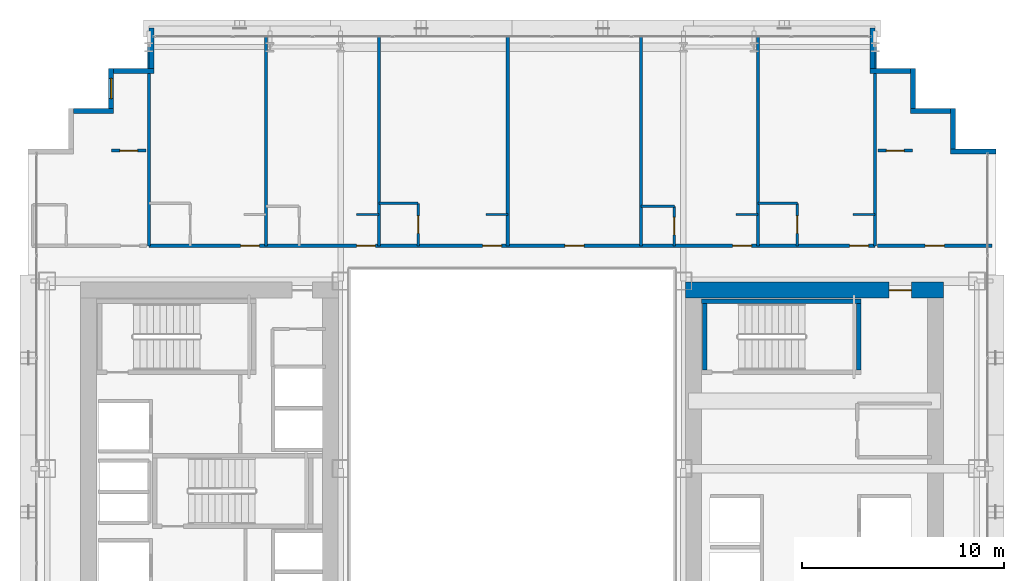
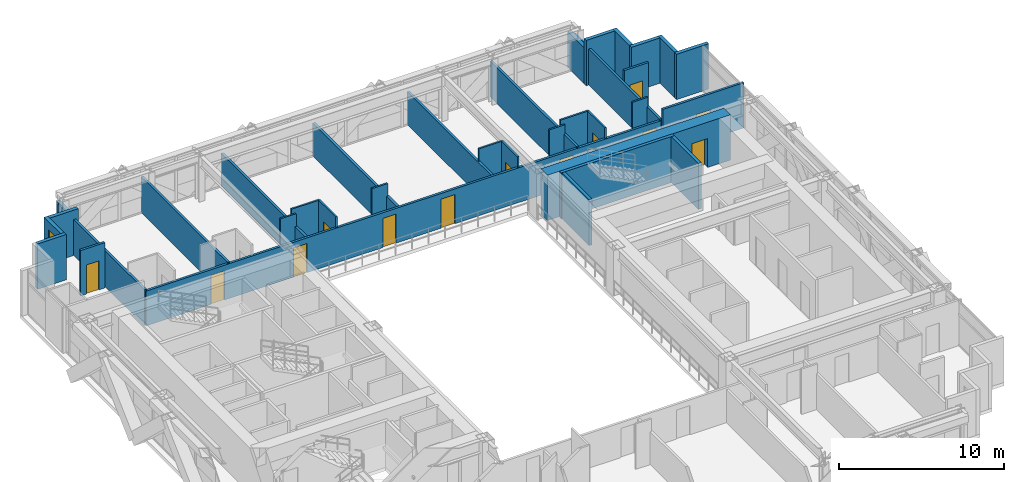
# One storey, part 30 of 35: 35 walls, 13 doors, 1 window, 14 openings.
"""IFC4 building model written with IfcOpenShell, lengths in metres."""

from ifc_helpers import new_model, si_unit, direction, frame, frame_2d, origin, place, context, subcontext, project, spatial, rectangle, extrude, source, transform, mapped, material, layer, layer_set, type_object, element, fill, save


model = new_model("IFC4")

# Units and contexts
model_context = context("Model", 3, precision=1e-05, world=origin(), true_north=direction((0.0, 1.0)))
body_context = subcontext(model_context, "Body", "Model", "MODEL_VIEW")
ifc_project = project(units=[si_unit("LENGTHUNIT", "METRE"), si_unit("AREAUNIT", "SQUARE_METRE"), si_unit("VOLUMEUNIT", "CUBIC_METRE"), si_unit("PLANEANGLEUNIT", "RADIAN"), si_unit("MASSUNIT", "GRAM", prefix="KILO")], contexts=[model_context])

# Site, building, storey
site_placement = place(None, origin())
site = spatial("IfcSite", under=ifc_project, at=site_placement, CompositionType="ELEMENT")
building_placement = place(site_placement, origin())
building = spatial("IfcBuilding", under=site, at=building_placement, Name="Ocotamira Hotel", CompositionType="ELEMENT")
storey_placement = place(building_placement, frame((0.0, 0.0, 49.199951171875)))
storey = spatial("IfcBuildingStorey", under=building, at=storey_placement, Name="L11", CompositionType="ELEMENT", Elevation=49.199951171875)

# Wall, opening, door
ifc_material_1 = material(Name="Concrete C60/75", Category="concrete")
ifc_layer_1 = layer(ifc_material_1, 0.800048828125)
ifc_layer_set_1 = layer_set([ifc_layer_1], Name="Concrete C60/75")
wall_type_1 = type_object("IfcWallType", Name="WL-CORE-800", PredefinedType="SHEAR", material=ifc_layer_set_1)
wall_1_placement = place(storey_placement, frame((40.60009765625, 37.0, 0.0), z_axis=(0.0, 0.0, 1.0), x_axis=(1.0, 0.0, 0.0)))
wall_1 = element("IfcWall", 1, at=wall_1_placement, inside=storey, type_object=wall_type_1, Name="L11 Shear Core Wall ECORE-N", PredefinedType="SHEAR", context=body_context, shape_type="SweptSolid", body=[
    extrude(rectangle(XDim=12.7998046875, YDim=0.800048828125, at=frame_2d((6.39990234375, 0.0))), origin(), (0.0, 0.0, 1.0), 3.35009765625),
])
opening_1_placement = place(wall_1_placement, frame((10.10009765625, 0.0, 0.0)))
opening_1 = element("IfcOpeningElement", 2, at=opening_1_placement, cuts=wall_1, Name="Opening D-FR1", PredefinedType="OPENING", context=body_context, shape_type="SweptSolid", body=[
    extrude(rectangle(XDim=1.10009765625, YDim=2.14990234375, at=frame_2d((0.550048828125, 1.074951171875))), frame((0.0, 0.41015625, 0.0), z_axis=(0.0, -1.0, 0.0), x_axis=(1.0, 0.0, 0.0)), (0.0, 0.0, 1.0), 0.820068359375),
])
ifc_material_2 = material(Name="Fire-rated acoustic timber-veneer door", Category="wood")
door_type_1 = type_object("IfcDoorType", Name="DR-FIRE-1100", OperationType="NOTDEFINED", PredefinedType="DOOR", material=ifc_material_2)
shared_shape_1 = source(origin(), body_context, "Body", "SweptSolid", [
    extrude(rectangle(XDim=1.10009765625, YDim=2.14990234375, at=frame_2d((0.550048828125, 1.074951171875))), frame((0.0, 0.02490234375, 0.0), z_axis=(0.0, -1.0, 0.0), x_axis=(1.0, 0.0, 0.0)), (0.0, 0.0, 1.0), 0.050048828125),
])
door_1_placement = place(opening_1_placement, origin())
door_1 = element("IfcDoor", 3, at=door_1_placement, inside=storey, type_object=door_type_1, Name="L11 Door ID-L11-ELOB-N-D [ID-L11-ELOB-N-D]", OperationType="SINGLE_SWING_LEFT", OverallHeight=2.14990234375, OverallWidth=1.10009765625, PredefinedType="DOOR", context=body_context, shape_type="MappedRepresentation", body=[
    mapped(shared_shape_1, transform((0.0, 0.0, 0.0), scale=1.0)),
])
fill(opening_1, door_1)

# Walls
ifc_material_3 = material(Name="Precast concrete C45/55", Category="concrete")
ifc_layer_2 = layer(ifc_material_3, 0.25)
ifc_layer_set_2 = layer_set([ifc_layer_2], Name="Precast concrete C45/55")
wall_type_2 = type_object("IfcWallType", Name="WL-EXT-SER-250", PredefinedType="SOLIDWALL", material=ifc_layer_set_2)
wall_2_placement = place(storey_placement, frame((56.0, 43.875, 0.0), z_axis=(0.0, 0.0, 1.0), x_axis=(-1.0, 0.0, 0.0)))
element("IfcWall", 4, at=wall_2_placement, inside=storey, type_object=wall_type_2, Name="L11 Serrated Corner Wall 07", PredefinedType="SOLIDWALL", context=body_context, shape_type="SweptSolid", body=[
    extrude(rectangle(XDim=2.25, YDim=0.25, at=frame_2d((1.125, 0.0))), origin(), (0.0, 0.0, 1.0), 3.35009765625),
])
for number, where, z_axis, x_axis, name in (
    (5, (53.875, 44.0, 0.0), (0.0, 0.0, 1.0), (0.0, 1.0, 0.0), "L11 Serrated Corner Wall 08"),
    (6, (53.75, 45.875, 0.0), (0.0, 0.0, 1.0), (-1.0, 0.0, 0.0), "L11 Serrated Corner Wall 09"),
    (7, (51.875, 46.0, 0.0), (0.0, 0.0, 1.0), (0.0, 1.0, 0.0), "L11 Serrated Corner Wall 10"),
    (8, (51.75, 47.875, 0.0), (0.0, 0.0, 1.0), (-1.0, 0.0, 0.0), "L11 Serrated Corner Wall 11"),
):
    element("IfcWall", number, at=place(storey_placement, frame(where, z_axis=z_axis, x_axis=x_axis)), inside=storey, type_object=wall_type_2, Name=name, PredefinedType="SOLIDWALL", context=body_context, shape_type="SweptSolid", body=[
        extrude(rectangle(XDim=2.0, YDim=0.25, at=frame_2d((1.0, 0.0))), origin(), (0.0, 0.0, 1.0), 3.35009765625),
    ])
for number, where, z_axis, x_axis, name in (
    (9, (49.875, 48.0, 0.0), (0.0, 0.0, 1.0), (0.0, 1.0, 0.0), "L11 Serrated Corner Wall 12"),
    (10, (14.125, 50.0, 0.0), (0.0, 0.0, 1.0), (0.0, -1.0, 0.0), "L11 Serrated Corner Wall 13"),
):
    element("IfcWall", number, at=place(storey_placement, frame(where, z_axis=z_axis, x_axis=x_axis)), inside=storey, type_object=wall_type_2, Name=name, PredefinedType="SOLIDWALL", context=body_context, shape_type="SweptSolid", body=[
        extrude(rectangle(XDim=2.0, YDim=0.25, at=frame_2d((1.0, 0.0))), origin(), (0.0, 0.0, 1.0), 2.656982421875),
    ])
wall_3_placement = place(storey_placement, frame((14.25, 47.875, 0.0), z_axis=(0.0, 0.0, 1.0), x_axis=(-1.0, 0.0, 0.0)))
element("IfcWall", 11, at=wall_3_placement, inside=storey, type_object=wall_type_2, Name="L11 Serrated Corner Wall 14", PredefinedType="SOLIDWALL", context=body_context, shape_type="SweptSolid", body=[
    extrude(rectangle(XDim=2.0, YDim=0.25, at=frame_2d((1.0, 0.0))), origin(), (0.0, 0.0, 1.0), 3.35009765625),
])

# Wall, opening, window
wall_4_placement = place(storey_placement, frame((12.125, 48.0, 0.0), z_axis=(0.0, 0.0, 1.0), x_axis=(0.0, -1.0, 0.0)))
wall_4 = element("IfcWall", 12, at=wall_4_placement, inside=storey, type_object=wall_type_2, Name="L11 Serrated Corner Wall 15", PredefinedType="SOLIDWALL", context=body_context, shape_type="SweptSolid", body=[
    extrude(rectangle(XDim=2.0, YDim=0.25, at=frame_2d((1.0, 0.0))), origin(), (0.0, 0.0, 1.0), 3.35009765625),
])
opening_2_placement = place(wall_4_placement, frame((0.5, 0.0, 0.85009765625)))
opening_2 = element("IfcOpeningElement", 13, at=opening_2_placement, cuts=wall_4, Name="Opening WN-2", PredefinedType="OPENING", context=body_context, shape_type="SweptSolid", body=[
    extrude(rectangle(XDim=1.0, YDim=1.89990234375, at=frame_2d((0.5, 0.949951171875))), frame((0.0, 0.135009765625, 0.0), z_axis=(0.0, -1.0, 0.0), x_axis=(1.0, 0.0, 0.0)), (0.0, 0.0, 1.0), 0.27001953125),
])
ifc_material_4 = material(Name="Double-silver low-E solar glass", Category="glass")
window_type = type_object("IfcWindowType", Name="WIN-SER-1100", PartitioningType="SINGLE_PANEL", PredefinedType="WINDOW", material=ifc_material_4)
shared_shape_2 = source(origin(), body_context, "Body", "SweptSolid", [
    extrude(rectangle(XDim=1.0, YDim=1.89990234375, at=frame_2d((0.5, 0.949951171875))), frame((0.0, 0.030029296875, 0.0), z_axis=(0.0, -1.0, 0.0), x_axis=(1.0, 0.0, 0.0)), (0.0, 0.0, 1.0), 0.06005859375),
])
window_placement = place(opening_2_placement, origin())
window = element("IfcWindow", 14, at=window_placement, inside=storey, type_object=window_type, Name="L11 Serrated Corner Window 15", OverallHeight=1.89990234375, OverallWidth=1.0, PartitioningType="SINGLE_PANEL", PredefinedType="WINDOW", context=body_context, shape_type="MappedRepresentation", body=[
    mapped(shared_shape_2, transform((0.0, 0.0, 0.0), scale=1.0)),
])
fill(opening_2, window)

# Wall
wall_5_placement = place(storey_placement, frame((12.25, 45.875, 0.0), z_axis=(0.0, 0.0, 1.0), x_axis=(-1.0, 0.0, 0.0)))
element("IfcWall", 15, at=wall_5_placement, inside=storey, type_object=wall_type_2, Name="L11 Serrated Corner Wall 16", PredefinedType="SOLIDWALL", context=body_context, shape_type="SweptSolid", body=[
    extrude(rectangle(XDim=2.0, YDim=0.25, at=frame_2d((1.0, 0.0))), origin(), (0.0, 0.0, 1.0), 3.35009765625),
])

# Wall, opening, door
ifc_material_5 = material(Name="Acoustic double-layer fire gypsum board partition", Category="gypsum")
ifc_layer_3 = layer(ifc_material_5, 0.159912109375)
ifc_layer_set_3 = layer_set([ifc_layer_3], Name="Acoustic double-layer fire gypsum board partition")
wall_type_3 = type_object("IfcWallType", Name="WL-FIRE-160", PredefinedType="PARTITIONING", material=ifc_layer_set_3)
wall_6_placement = place(storey_placement, frame((50.1201171875, 39.199951171875, 0.0), z_axis=(0.0, 0.0, 1.0), x_axis=(1.0, 0.0, 0.0)))
wall_6 = element("IfcWall", 16, at=wall_6_placement, inside=storey, type_object=wall_type_3, Name="L11 Interior Wall PW-L11-Z1B-CNE-CW", PredefinedType="PARTITIONING", context=body_context, shape_type="SweptSolid", body=[
    extrude(rectangle(XDim=5.679931640625, YDim=0.159912109375, at=frame_2d((2.83984375, 0.0))), origin(), (0.0, 0.0, 1.0), 3.35009765625),
])
opening_3_placement = place(wall_6_placement, frame((2.360107421875, 0.0, 0.0)))
opening_3 = element("IfcOpeningElement", 17, at=opening_3_placement, cuts=wall_6, Name="Opening D-SV4", PredefinedType="OPENING", context=body_context, shape_type="SweptSolid", body=[
    extrude(rectangle(XDim=0.9599609375, YDim=2.14990234375, at=frame_2d((0.47998046875, 1.074951171875))), frame((0.0, 0.08984375, 0.0), z_axis=(0.0, -1.0, 0.0), x_axis=(1.0, 0.0, 0.0)), (0.0, 0.0, 1.0), 0.179931640625),
])
ifc_material_6 = material(Name="Fire-rated accessible walnut salon door", Category="wood")
door_type_2 = type_object("IfcDoorType", Name="DR-SERV-960", OperationType="NOTDEFINED", PredefinedType="DOOR", material=ifc_material_6)
shared_shape_3 = source(origin(), body_context, "Body", "SweptSolid", [
    extrude(rectangle(XDim=0.9599609375, YDim=2.14990234375, at=frame_2d((0.47998046875, 1.074951171875))), frame((0.0, 0.02490234375, 0.0), z_axis=(0.0, -1.0, 0.0), x_axis=(1.0, 0.0, 0.0)), (0.0, 0.0, 1.0), 0.050048828125),
])
door_2_placement = place(opening_3_placement, origin())
door_2 = element("IfcDoor", 18, at=door_2_placement, inside=storey, type_object=door_type_2, Name="L11 Door ID-L11-Z1B-CNE-CD [ID-L11-Z1B-CNE-CD]", OperationType="SINGLE_SWING_LEFT", OverallHeight=2.14990234375, OverallWidth=0.9599609375, PredefinedType="DOOR", context=body_context, shape_type="MappedRepresentation", body=[
    mapped(shared_shape_3, transform((0.0, 0.0, 0.0), scale=1.0)),
])
fill(opening_3, door_2)

wall_7_placement = place(storey_placement, frame((12.14990234375, 43.919921875, 0.0), z_axis=(0.0, 0.0, 1.0), x_axis=(1.0, 0.0, 0.0)))
wall_7 = element("IfcWall", 19, at=wall_7_placement, inside=storey, type_object=wall_type_3, Name="L11 Interior Wall PW-L11-Z1B-CNW2-CW", PredefinedType="PARTITIONING", context=body_context, shape_type="SweptSolid", body=[
    extrude(rectangle(XDim=1.7001953125, YDim=0.159912109375, at=frame_2d((0.85009765625, 0.0))), origin(), (0.0, 0.0, 1.0), 3.35009765625),
])
opening_4_placement = place(wall_7_placement, frame((0.409912109375, 0.0, 0.0)))
opening_4 = element("IfcOpeningElement", 20, at=opening_4_placement, cuts=wall_7, Name="Opening D-SV2", PredefinedType="OPENING", context=body_context, shape_type="SweptSolid", body=[
    extrude(rectangle(XDim=0.8798828125, YDim=2.14990234375, at=frame_2d((0.43994140625, 1.074951171875))), frame((0.0, 0.08984375, 0.0), z_axis=(0.0, -1.0, 0.0), x_axis=(1.0, 0.0, 0.0)), (0.0, 0.0, 1.0), 0.179931640625),
])
ifc_material_7 = material(Name="Fire-rated painted steel service door", Category="steel")
door_type_3 = type_object("IfcDoorType", Name="DR-SERV-880", OperationType="NOTDEFINED", PredefinedType="DOOR", material=ifc_material_7)
shared_shape_4 = source(origin(), body_context, "Body", "SweptSolid", [
    extrude(rectangle(XDim=0.8798828125, YDim=2.14990234375, at=frame_2d((0.43994140625, 1.074951171875))), frame((0.0, 0.02490234375, 0.0), z_axis=(0.0, -1.0, 0.0), x_axis=(1.0, 0.0, 0.0)), (0.0, 0.0, 1.0), 0.050048828125),
])
door_3_placement = place(opening_4_placement, origin())
door_3 = element("IfcDoor", 21, at=door_3_placement, inside=storey, type_object=door_type_3, Name="L11 Door ID-L11-Z1B-CNW2-CD [ID-L11-Z1B-CNW2-CD]", OperationType="SINGLE_SWING_LEFT", OverallHeight=2.14990234375, OverallWidth=0.8798828125, PredefinedType="DOOR", context=body_context, shape_type="MappedRepresentation", body=[
    mapped(shared_shape_4, transform((0.0, 0.0, 0.0), scale=1.0)),
])
fill(opening_4, door_3)

wall_8_placement = place(storey_placement, frame((50.14990234375, 43.919921875, 0.0), z_axis=(0.0, 0.0, 1.0), x_axis=(1.0, 0.0, 0.0)))
wall_8 = element("IfcWall", 22, at=wall_8_placement, inside=storey, type_object=wall_type_3, Name="L11 Interior Wall PW-L11-Z1B-CNE2-CW", PredefinedType="PARTITIONING", context=body_context, shape_type="SweptSolid", body=[
    extrude(rectangle(XDim=1.7001953125, YDim=0.159912109375, at=frame_2d((0.85009765625, 0.0))), origin(), (0.0, 0.0, 1.0), 3.35009765625),
])
opening_5_placement = place(wall_8_placement, frame((0.409912109375, 0.0, 0.0)))
opening_5 = element("IfcOpeningElement", 23, at=opening_5_placement, cuts=wall_8, Name="Opening D-SV2", PredefinedType="OPENING", context=body_context, shape_type="SweptSolid", body=[
    extrude(rectangle(XDim=0.8798828125, YDim=2.14990234375, at=frame_2d((0.43994140625, 1.074951171875))), frame((0.0, 0.08984375, 0.0), z_axis=(0.0, -1.0, 0.0), x_axis=(1.0, 0.0, 0.0)), (0.0, 0.0, 1.0), 0.179931640625),
])
door_4_placement = place(opening_5_placement, origin())
door_4 = element("IfcDoor", 24, at=door_4_placement, inside=storey, type_object=door_type_3, Name="L11 Door ID-L11-Z1B-CNE2-CD [ID-L11-Z1B-CNE2-CD]", OperationType="SINGLE_SWING_LEFT", OverallHeight=2.14990234375, OverallWidth=0.8798828125, PredefinedType="DOOR", context=body_context, shape_type="MappedRepresentation", body=[
    mapped(shared_shape_4, transform((0.0, 0.0, 0.0), scale=1.0)),
])
fill(opening_5, door_4)

# Wall, openings, doors
wall_9_placement = place(storey_placement, frame((14.0, 39.199951171875, 0.0), z_axis=(0.0, 0.0, 1.0), x_axis=(1.0, 0.0, 0.0)))
wall_9 = element("IfcWall", 25, at=wall_9_placement, inside=storey, type_object=wall_type_3, Name="L11 Interior Wall PW-L11-Z1BN-CORRW", PredefinedType="PARTITIONING", context=body_context, shape_type="SweptSolid", body=[
    extrude(rectangle(XDim=36.0, YDim=0.159912109375, at=frame_2d((18.0, 0.0))), origin(), (0.0, 0.0, 1.0), 2.571044921875),
])
opening_6_placement = place(wall_9_placement, frame((4.5400390625, 0.0, 0.0)))
opening_6 = element("IfcOpeningElement", 26, at=opening_6_placement, cuts=wall_9, Name="Opening D-GR1", PredefinedType="OPENING", context=body_context, shape_type="SweptSolid", body=[
    extrude(rectangle(XDim=0.93994140625, YDim=2.14990234375, at=frame_2d((0.469970703125, 1.074951171875))), frame((0.0, 0.08984375, 0.0), z_axis=(0.0, -1.0, 0.0), x_axis=(1.0, 0.0, 0.0)), (0.0, 0.0, 1.0), 0.179931640625),
])
opening_7_placement = place(wall_9_placement, frame((10.2900390625, 0.0, 0.0)))
opening_7 = element("IfcOpeningElement", 27, at=opening_7_placement, cuts=wall_9, Name="Opening D-GR1", PredefinedType="OPENING", context=body_context, shape_type="SweptSolid", body=[
    extrude(rectangle(XDim=0.93994140625, YDim=2.14990234375, at=frame_2d((0.469970703125, 1.074951171875))), frame((0.0, 0.08984375, 0.0), z_axis=(0.0, -1.0, 0.0), x_axis=(1.0, 0.0, 0.0)), (0.0, 0.0, 1.0), 0.179931640625),
])
opening_8_placement = place(wall_9_placement, frame((16.5400390625, 0.0, 0.0)))
opening_8 = element("IfcOpeningElement", 28, at=opening_8_placement, cuts=wall_9, Name="Opening D-GR1", PredefinedType="OPENING", context=body_context, shape_type="SweptSolid", body=[
    extrude(rectangle(XDim=0.93994140625, YDim=2.14990234375, at=frame_2d((0.469970703125, 1.074951171875))), frame((0.0, 0.08984375, 0.0), z_axis=(0.0, -1.0, 0.0), x_axis=(1.0, 0.0, 0.0)), (0.0, 0.0, 1.0), 0.179931640625),
])
opening_9_placement = place(wall_9_placement, frame((20.6201171875, 0.0, 0.0)))
opening_9 = element("IfcOpeningElement", 29, at=opening_9_placement, cuts=wall_9, Name="Opening D-SV4", PredefinedType="OPENING", context=body_context, shape_type="SweptSolid", body=[
    extrude(rectangle(XDim=0.9599609375, YDim=2.14990234375, at=frame_2d((0.47998046875, 1.074951171875))), frame((0.0, 0.08984375, 0.0), z_axis=(0.0, -1.0, 0.0), x_axis=(1.0, 0.0, 0.0)), (0.0, 0.0, 1.0), 0.179931640625),
])
opening_10_placement = place(wall_9_placement, frame((28.93994140625, 0.0, 0.0)))
opening_10 = element("IfcOpeningElement", 30, at=opening_10_placement, cuts=wall_9, Name="Opening D-GR1", PredefinedType="OPENING", context=body_context, shape_type="SweptSolid", body=[
    extrude(rectangle(XDim=0.93994140625, YDim=2.14990234375, at=frame_2d((0.469970703125, 1.074951171875))), frame((0.0, 0.08984375, 0.0), z_axis=(0.0, -1.0, 0.0), x_axis=(1.0, 0.0, 0.0)), (0.0, 0.0, 1.0), 0.179931640625),
])
opening_11_placement = place(wall_9_placement, frame((34.739990234375, 0.0, 0.0)))
opening_11 = element("IfcOpeningElement", 31, at=opening_11_placement, cuts=wall_9, Name="Opening D-GR1", PredefinedType="OPENING", context=body_context, shape_type="SweptSolid", body=[
    extrude(rectangle(XDim=0.93994140625, YDim=2.14990234375, at=frame_2d((0.469970703125, 1.074951171875))), frame((0.0, 0.08984375, 0.0), z_axis=(0.0, -1.0, 0.0), x_axis=(1.0, 0.0, 0.0)), (0.0, 0.0, 1.0), 0.179931640625),
])
door_5_placement = place(opening_9_placement, origin())
door_5 = element("IfcDoor", 32, at=door_5_placement, inside=storey, type_object=door_type_2, Name="L11 Door ID-L11-Z1BN-AMD4 [ID-L11-Z1BN-AMD4]", OperationType="SINGLE_SWING_RIGHT", OverallHeight=2.14990234375, OverallWidth=0.9599609375, PredefinedType="DOOR", context=body_context, shape_type="MappedRepresentation", body=[
    mapped(shared_shape_3, transform((0.0, 0.0, 0.0), scale=1.0)),
])
fill(opening_9, door_5)
ifc_material_8 = material(Name="Solid-core walnut suite entrance fire door", Category="wood")
door_type_4 = type_object("IfcDoorType", Name="DR-GUEST-940", OperationType="NOTDEFINED", PredefinedType="DOOR", material=ifc_material_8)
shared_shape_5 = source(origin(), body_context, "Body", "SweptSolid", [
    extrude(rectangle(XDim=0.93994140625, YDim=2.14990234375, at=frame_2d((0.469970703125, 1.074951171875))), frame((0.0, 0.02490234375, 0.0), z_axis=(0.0, -1.0, 0.0), x_axis=(1.0, 0.0, 0.0)), (0.0, 0.0, 1.0), 0.050048828125),
])
door_6_placement = place(opening_6_placement, origin())
door_6 = element("IfcDoor", 33, at=door_6_placement, inside=storey, type_object=door_type_4, Name="L11 Door ID-L11-Z1BN-RMD1 [ID-L11-Z1BN-RMD1]", OperationType="SINGLE_SWING_LEFT", OverallHeight=2.14990234375, OverallWidth=0.93994140625, PredefinedType="DOOR", context=body_context, shape_type="MappedRepresentation", body=[
    mapped(shared_shape_5, transform((0.0, 0.0, 0.0), scale=1.0)),
])
fill(opening_6, door_6)
door_7_placement = place(opening_7_placement, origin())
door_7 = element("IfcDoor", 34, at=door_7_placement, inside=storey, type_object=door_type_4, Name="L11 Door ID-L11-Z1BN-RMD2 [ID-L11-Z1BN-RMD2]", OperationType="SINGLE_SWING_RIGHT", OverallHeight=2.14990234375, OverallWidth=0.93994140625, PredefinedType="DOOR", context=body_context, shape_type="MappedRepresentation", body=[
    mapped(shared_shape_5, transform((0.0, 0.0, 0.0), scale=1.0)),
])
fill(opening_7, door_7)
door_8_placement = place(opening_8_placement, origin())
door_8 = element("IfcDoor", 35, at=door_8_placement, inside=storey, type_object=door_type_4, Name="L11 Door ID-L11-Z1BN-RMD3 [ID-L11-Z1BN-RMD3]", OperationType="SINGLE_SWING_LEFT", OverallHeight=2.14990234375, OverallWidth=0.93994140625, PredefinedType="DOOR", context=body_context, shape_type="MappedRepresentation", body=[
    mapped(shared_shape_5, transform((0.0, 0.0, 0.0), scale=1.0)),
])
fill(opening_8, door_8)
door_9_placement = place(opening_10_placement, origin())
door_9 = element("IfcDoor", 36, at=door_9_placement, inside=storey, type_object=door_type_4, Name="L11 Door ID-L11-Z1BN-RMD5 [ID-L11-Z1BN-RMD5]", OperationType="SINGLE_SWING_LEFT", OverallHeight=2.14990234375, OverallWidth=0.93994140625, PredefinedType="DOOR", context=body_context, shape_type="MappedRepresentation", body=[
    mapped(shared_shape_5, transform((0.0, 0.0, 0.0), scale=1.0)),
])
fill(opening_10, door_9)
door_10_placement = place(opening_11_placement, origin())
door_10 = element("IfcDoor", 37, at=door_10_placement, inside=storey, type_object=door_type_4, Name="L11 Door ID-L11-Z1BN-RMD6 [ID-L11-Z1BN-RMD6]", OperationType="SINGLE_SWING_RIGHT", OverallHeight=2.14990234375, OverallWidth=0.93994140625, PredefinedType="DOOR", context=body_context, shape_type="MappedRepresentation", body=[
    mapped(shared_shape_5, transform((0.0, 0.0, 0.0), scale=1.0)),
])
fill(opening_11, door_10)

# Wall
ifc_material_9 = material(Name="Moisture-resistant en-suite tile and gypsum partition", Category="gypsum")
ifc_layer_4 = layer(ifc_material_9, 0.1201171875)
ifc_layer_set_4 = layer_set([ifc_layer_4], Name="Moisture-resistant en-suite tile and gypsum partition")
wall_type_4 = type_object("IfcWallType", Name="WL-PART-120", PredefinedType="PARTITIONING", material=ifc_layer_set_4)
wall_10_placement = place(storey_placement, frame((24.300048828125, 40.75, 0.0), z_axis=(0.0, 0.0, 1.0), x_axis=(1.0, 0.0, 0.0)))
element("IfcWall", 38, at=wall_10_placement, inside=storey, type_object=wall_type_4, Name="L11 Interior Wall PW-L11-Z1BN-DRN2", PredefinedType="PARTITIONING", context=body_context, shape_type="SweptSolid", body=[
    extrude(rectangle(XDim=1.099853515625, YDim=0.1201171875, at=frame_2d((0.5498046875, 0.0))), origin(), (0.0, 0.0, 1.0), 3.35009765625),
])

# Wall, opening, door
wall_11_placement = place(storey_placement, frame((27.35009765625, 39.199951171875, 0.0), z_axis=(0.0, 0.0, 1.0), x_axis=(0.0, 1.0, 0.0)))
wall_11 = element("IfcWall", 39, at=wall_11_placement, inside=storey, type_object=wall_type_4, Name="L11 Interior Wall PW-L11-Z1BN-BAE3", PredefinedType="PARTITIONING", context=body_context, shape_type="SweptSolid", body=[
    extrude(rectangle(XDim=2.10009765625, YDim=0.1201171875, at=frame_2d((1.050048828125, 0.0))), origin(), (0.0, 0.0, 1.0), 3.35009765625),
])
opening_12_placement = place(wall_11_placement, frame((0.6201171875, 0.0, 0.0)))
opening_12 = element("IfcOpeningElement", 40, at=opening_12_placement, cuts=wall_11, Name="Opening D-BA1", PredefinedType="OPENING", context=body_context, shape_type="SweptSolid", body=[
    extrude(rectangle(XDim=0.860107421875, YDim=2.10009765625, at=frame_2d((0.43017578125, 1.050048828125))), frame((0.0, 0.070068359375, 0.0), z_axis=(0.0, -1.0, 0.0), x_axis=(1.0, 0.0, 0.0)), (0.0, 0.0, 1.0), 0.14013671875),
])
ifc_material_10 = material(Name="Moisture-sealed en-suite timber door", Category="wood")
door_type_5 = type_object("IfcDoorType", Name="DR-BATH-860", OperationType="NOTDEFINED", PredefinedType="DOOR", material=ifc_material_10)
shared_shape_6 = source(origin(), body_context, "Body", "SweptSolid", [
    extrude(rectangle(XDim=0.860107421875, YDim=2.10009765625, at=frame_2d((0.43017578125, 1.050048828125))), frame((0.0, 0.02490234375, 0.0), z_axis=(0.0, -1.0, 0.0), x_axis=(1.0, 0.0, 0.0)), (0.0, 0.0, 1.0), 0.050048828125),
])
door_11_placement = place(opening_12_placement, origin())
door_11 = element("IfcDoor", 41, at=door_11_placement, inside=storey, type_object=door_type_5, Name="L11 Door ID-L11-Z1BN-BAD3 [ID-L11-Z1BN-BAD3]", OperationType="SINGLE_SWING_RIGHT", OverallHeight=2.10009765625, OverallWidth=0.860107421875, PredefinedType="DOOR", context=body_context, shape_type="MappedRepresentation", body=[
    mapped(shared_shape_6, transform((0.0, 0.0, 0.0), scale=1.0)),
])
fill(opening_12, door_11)

# Walls
wall_12_placement = place(storey_placement, frame((25.39990234375, 41.300048828125, 0.0), z_axis=(0.0, 0.0, 1.0), x_axis=(1.0, 0.0, 0.0)))
element("IfcWall", 42, at=wall_12_placement, inside=storey, type_object=wall_type_4, Name="L11 Interior Wall PW-L11-Z1BN-BAN3", PredefinedType="PARTITIONING", context=body_context, shape_type="SweptSolid", body=[
    extrude(rectangle(XDim=1.9501953125, YDim=0.1201171875, at=frame_2d((0.97509765625, 0.0))), origin(), (0.0, 0.0, 1.0), 3.35009765625),
])
wall_13_placement = place(storey_placement, frame((30.699951171875, 40.75, 0.0), z_axis=(0.0, 0.0, 1.0), x_axis=(1.0, 0.0, 0.0)))
element("IfcWall", 43, at=wall_13_placement, inside=storey, type_object=wall_type_4, Name="L11 Interior Wall PW-L11-Z1BN-DRN3", PredefinedType="PARTITIONING", context=body_context, shape_type="SweptSolid", body=[
    extrude(rectangle(XDim=1.10009765625, YDim=0.1201171875, at=frame_2d((0.550048828125, 0.0))), origin(), (0.0, 0.0, 1.0), 3.35009765625),
])

# Wall, opening, door
wall_14_placement = place(storey_placement, frame((40.050048828125, 39.199951171875, 0.0), z_axis=(0.0, 0.0, 1.0), x_axis=(0.0, 1.0, 0.0)))
wall_14 = element("IfcWall", 44, at=wall_14_placement, inside=storey, type_object=wall_type_4, Name="L11 Interior Wall PW-L11-Z1BN-BAE5", PredefinedType="PARTITIONING", context=body_context, shape_type="SweptSolid", body=[
    extrude(rectangle(XDim=1.949951171875, YDim=0.1201171875, at=frame_2d((0.97509765625, 0.0))), origin(), (0.0, 0.0, 1.0), 3.35009765625),
])
opening_13_placement = place(wall_14_placement, frame((0.544921875, 0.0, 0.0)))
opening_13 = element("IfcOpeningElement", 45, at=opening_13_placement, cuts=wall_14, Name="Opening D-BA1", PredefinedType="OPENING", context=body_context, shape_type="SweptSolid", body=[
    extrude(rectangle(XDim=0.860107421875, YDim=2.10009765625, at=frame_2d((0.43017578125, 1.050048828125))), frame((0.0, 0.070068359375, 0.0), z_axis=(0.0, -1.0, 0.0), x_axis=(1.0, 0.0, 0.0)), (0.0, 0.0, 1.0), 0.14013671875),
])
door_12_placement = place(opening_13_placement, origin())
door_12 = element("IfcDoor", 46, at=door_12_placement, inside=storey, type_object=door_type_5, Name="L11 Door ID-L11-Z1BN-BAD5 [ID-L11-Z1BN-BAD5]", OperationType="SINGLE_SWING_RIGHT", OverallHeight=2.10009765625, OverallWidth=0.860107421875, PredefinedType="DOOR", context=body_context, shape_type="MappedRepresentation", body=[
    mapped(shared_shape_6, transform((0.0, 0.0, 0.0), scale=1.0)),
])
fill(opening_13, door_12)

# Walls
wall_15_placement = place(storey_placement, frame((38.39990234375, 41.14990234375, 0.0), z_axis=(0.0, 0.0, 1.0), x_axis=(1.0, 0.0, 0.0)))
element("IfcWall", 47, at=wall_15_placement, inside=storey, type_object=wall_type_4, Name="L11 Interior Wall PW-L11-Z1BN-BAN5", PredefinedType="PARTITIONING", context=body_context, shape_type="SweptSolid", body=[
    extrude(rectangle(XDim=1.650146484375, YDim=0.1201171875, at=frame_2d((0.8251953125, 0.0))), origin(), (0.0, 0.0, 1.0), 3.35009765625),
])
wall_16_placement = place(storey_placement, frame((43.10009765625, 40.75, 0.0), z_axis=(0.0, 0.0, 1.0), x_axis=(1.0, 0.0, 0.0)))
element("IfcWall", 48, at=wall_16_placement, inside=storey, type_object=wall_type_4, Name="L11 Interior Wall PW-L11-Z1BN-DRN5", PredefinedType="PARTITIONING", context=body_context, shape_type="SweptSolid", body=[
    extrude(rectangle(XDim=1.099853515625, YDim=0.1201171875, at=frame_2d((0.5498046875, 0.0))), origin(), (0.0, 0.0, 1.0), 3.35009765625),
])

# Wall, opening, door
wall_17_placement = place(storey_placement, frame((46.14990234375, 39.199951171875, 0.0), z_axis=(0.0, 0.0, 1.0), x_axis=(0.0, 1.0, 0.0)))
wall_17 = element("IfcWall", 49, at=wall_17_placement, inside=storey, type_object=wall_type_4, Name="L11 Interior Wall PW-L11-Z1BN-BAE6", PredefinedType="PARTITIONING", context=body_context, shape_type="SweptSolid", body=[
    extrude(rectangle(XDim=2.10009765625, YDim=0.1201171875, at=frame_2d((1.050048828125, 0.0))), origin(), (0.0, 0.0, 1.0), 3.35009765625),
])
opening_14_placement = place(wall_17_placement, frame((0.6201171875, 0.0, 0.0)))
opening_14 = element("IfcOpeningElement", 50, at=opening_14_placement, cuts=wall_17, Name="Opening D-BA1", PredefinedType="OPENING", context=body_context, shape_type="SweptSolid", body=[
    extrude(rectangle(XDim=0.860107421875, YDim=2.10009765625, at=frame_2d((0.43017578125, 1.050048828125))), frame((0.0, 0.070068359375, 0.0), z_axis=(0.0, -1.0, 0.0), x_axis=(1.0, 0.0, 0.0)), (0.0, 0.0, 1.0), 0.14013671875),
])
door_13_placement = place(opening_14_placement, origin())
door_13 = element("IfcDoor", 51, at=door_13_placement, inside=storey, type_object=door_type_5, Name="L11 Door ID-L11-Z1BN-BAD6 [ID-L11-Z1BN-BAD6]", OperationType="SINGLE_SWING_LEFT", OverallHeight=2.10009765625, OverallWidth=0.860107421875, PredefinedType="DOOR", context=body_context, shape_type="MappedRepresentation", body=[
    mapped(shared_shape_6, transform((0.0, 0.0, 0.0), scale=1.0)),
])
fill(opening_14, door_13)

# Walls
wall_18_placement = place(storey_placement, frame((44.199951171875, 41.300048828125, 0.0), z_axis=(0.0, 0.0, 1.0), x_axis=(1.0, 0.0, 0.0)))
element("IfcWall", 52, at=wall_18_placement, inside=storey, type_object=wall_type_4, Name="L11 Interior Wall PW-L11-Z1BN-BAN6", PredefinedType="PARTITIONING", context=body_context, shape_type="SweptSolid", body=[
    extrude(rectangle(XDim=1.949951171875, YDim=0.1201171875, at=frame_2d((0.97509765625, 0.0))), origin(), (0.0, 0.0, 1.0), 3.35009765625),
])
wall_19_placement = place(storey_placement, frame((48.89990234375, 40.75, 0.0), z_axis=(0.0, 0.0, 1.0), x_axis=(1.0, 0.0, 0.0)))
element("IfcWall", 53, at=wall_19_placement, inside=storey, type_object=wall_type_4, Name="L11 Interior Wall PW-L11-Z1BN-DRN6", PredefinedType="PARTITIONING", context=body_context, shape_type="SweptSolid", body=[
    extrude(rectangle(XDim=1.10009765625, YDim=0.1201171875, at=frame_2d((0.550048828125, 0.0))), origin(), (0.0, 0.0, 1.0), 3.35009765625),
])
ifc_material_11 = material(Name="Acoustic double-stud hospitality gypsum partition", Category="gypsum")
ifc_layer_5 = layer(ifc_material_11, 0.159912109375)
ifc_layer_set_5 = layer_set([ifc_layer_5], Name="Acoustic double-stud hospitality gypsum partition")
wall_type_5 = type_object("IfcWallType", Name="WL-PART-160", PredefinedType="PARTITIONING", material=ifc_layer_set_5)
for number, where, z_axis, x_axis, name in (
    (54, (14.0, 39.199951171875, 0.0), (0.0, 0.0, 1.0), (0.0, 1.0, 0.0), "L11 Interior Wall PW-L11-Z1BN-PW0"),
    (55, (50.0, 39.199951171875, 0.0), (0.0, 0.0, 1.0), (0.0, 1.0, 0.0), "L11 Interior Wall PW-L11-Z1BN-PWEND"),
    (56, (19.800048828125, 39.199951171875, 0.0), (0.0, 0.0, 1.0), (0.0, 1.0, 0.0), "L11 Interior Wall PW-L11-Z1BN-PW1"),
):
    element("IfcWall", number, at=place(storey_placement, frame(where, z_axis=z_axis, x_axis=x_axis)), inside=storey, type_object=wall_type_5, Name=name, PredefinedType="PARTITIONING", context=body_context, shape_type="SweptSolid", body=[
        extrude(rectangle(XDim=10.43994140625, YDim=0.159912109375, at=frame_2d((5.219970703125, 0.0))), origin(), (0.0, 0.0, 1.0), 2.656982421875),
    ])
for number, where, z_axis, x_axis, name in (
    (57, (25.39990234375, 39.199951171875, 0.0), (0.0, 0.0, 1.0), (0.0, 1.0, 0.0), "L11 Interior Wall PW-L11-Z1BN-PW2"),
    (58, (38.39990234375, 39.199951171875, 0.0), (0.0, 0.0, 1.0), (0.0, 1.0, 0.0), "L11 Interior Wall PW-L11-Z1BN-PW4"),
):
    element("IfcWall", number, at=place(storey_placement, frame(where, z_axis=z_axis, x_axis=x_axis)), inside=storey, type_object=wall_type_5, Name=name, PredefinedType="PARTITIONING", context=body_context, shape_type="SweptSolid", body=[
        extrude(rectangle(XDim=10.43994140625, YDim=0.159912109375, at=frame_2d((5.219970703125, 0.0))), origin(), (0.0, 0.0, 1.0), 2.423095703125),
    ])
wall_20_placement = place(storey_placement, frame((44.199951171875, 39.199951171875, 0.0), z_axis=(0.0, 0.0, 1.0), x_axis=(0.0, 1.0, 0.0)))
element("IfcWall", 59, at=wall_20_placement, inside=storey, type_object=wall_type_5, Name="L11 Interior Wall PW-L11-Z1BN-PW5", PredefinedType="PARTITIONING", context=body_context, shape_type="SweptSolid", body=[
    extrude(rectangle(XDim=10.43994140625, YDim=0.159912109375, at=frame_2d((5.219970703125, 0.0))), origin(), (0.0, 0.0, 1.0), 2.656982421875),
])
ifc_material_12 = material(Name="Double-stud suite party gypsum partition", Category="gypsum")
ifc_layer_6 = layer(ifc_material_12, 0.175048828125)
ifc_layer_set_6 = layer_set([ifc_layer_6], Name="Double-stud suite party gypsum partition")
wall_type_6 = type_object("IfcWallType", Name="WL-PART-175", PredefinedType="PARTITIONING", material=ifc_layer_set_6)
wall_21_placement = place(storey_placement, frame((31.800048828125, 39.199951171875, 0.0), z_axis=(0.0, 0.0, 1.0), x_axis=(0.0, 1.0, 0.0)))
element("IfcWall", 60, at=wall_21_placement, inside=storey, type_object=wall_type_6, Name="L11 Interior Wall PW-L11-Z1BN-PW3", PredefinedType="PARTITIONING", context=body_context, shape_type="SweptSolid", body=[
    extrude(rectangle(XDim=10.43994140625, YDim=0.175048828125, at=frame_2d((5.219970703125, 0.0))), origin(), (0.0, 0.0, 1.0), 2.423095703125),
])
ifc_material_13 = material(Name="Concrete C50/60", Category="concrete")
ifc_layer_7 = layer(ifc_material_13, 0.219970703125)
ifc_layer_set_7 = layer_set([ifc_layer_7], Name="Concrete C50/60")
wall_type_7 = type_object("IfcWallType", Name="WL-STAIR-220", PredefinedType="SHEAR", material=ifc_layer_set_7)
wall_22_placement = place(storey_placement, frame((41.39990234375, 36.43994140625, 0.0), z_axis=(0.0, 0.0, 1.0), x_axis=(1.0, 0.0, 0.0)))
element("IfcWall", 61, at=wall_22_placement, inside=storey, type_object=wall_type_7, Name="L11 Stair Shaft Structural Wall ST-4-N", PredefinedType="SHEAR", context=body_context, shape_type="SweptSolid", body=[
    extrude(rectangle(XDim=7.91015625, YDim=0.219970703125, at=frame_2d((3.955078125, 0.0))), origin(), (0.0, 0.0, 1.0), 3.400146484375),
])
for number, where, z_axis, x_axis, name in (
    (62, (41.56005859375, 33.050048828125, 0.0), (0.0, 0.0, 1.0), (0.0, 1.0, 0.0), "L11 Stair Shaft Structural Wall ST-4-W"),
    (63, (49.199951171875, 33.050048828125, 0.0), (0.0, 0.0, 1.0), (0.0, 1.0, 0.0), "L11 Stair Shaft Structural Wall ST-4-E"),
):
    element("IfcWall", number, at=place(storey_placement, frame(where, z_axis=z_axis, x_axis=x_axis)), inside=storey, type_object=wall_type_7, Name=name, PredefinedType="SHEAR", context=body_context, shape_type="SweptSolid", body=[
        extrude(rectangle(XDim=3.280029296875, YDim=0.219970703125, at=frame_2d((1.64013671875, 0.0))), origin(), (0.0, 0.0, 1.0), 3.400146484375),
    ])

save(model, "model.ifc")
